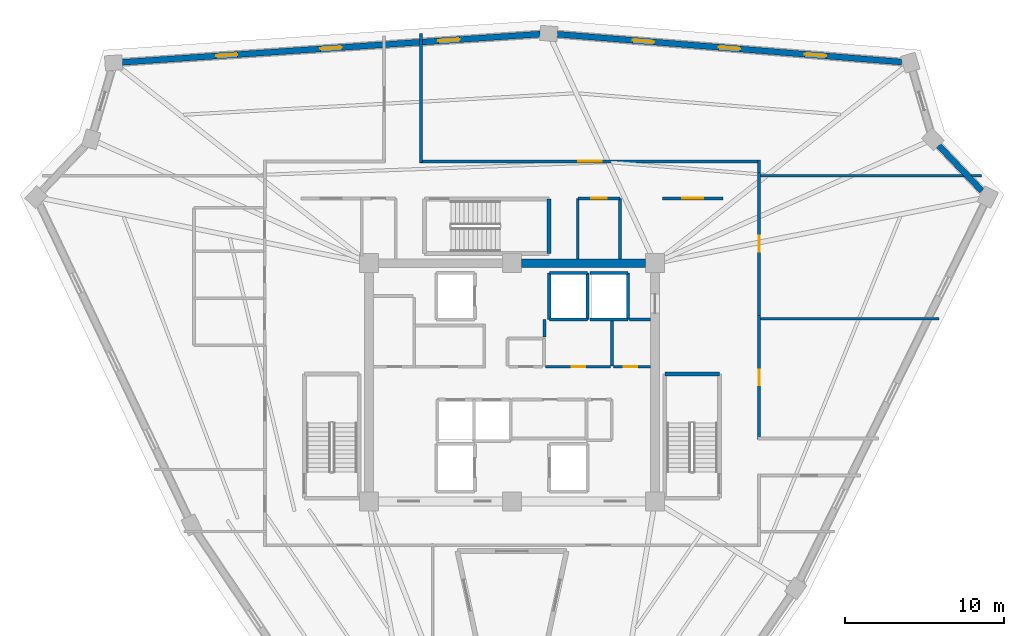
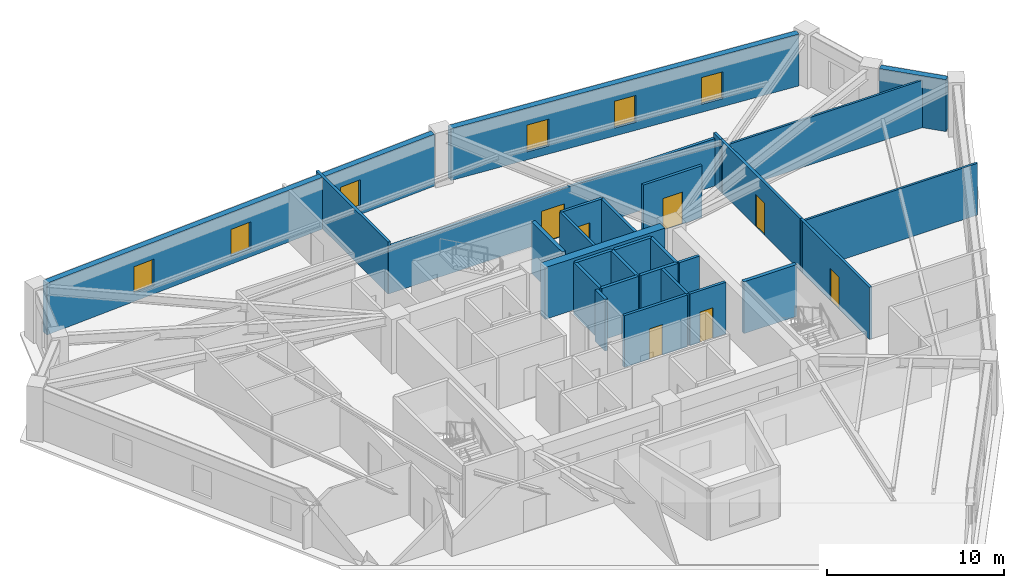
# One storey, part 6 of 10: 29 walls, 7 doors, 6 windows, 13 openings.
"""IFC4 building model written with IfcOpenShell, lengths in metres."""

from ifc_helpers import new_model, si_unit, direction, frame, frame_2d, origin, place, context, subcontext, project, spatial, rectangle, extrude, source, transform, mapped, material, layer, layer_set, type_object, element, fill, save


model = new_model("IFC4")

# Units and contexts
model_context = context("Model", 3, precision=1e-05, world=origin(), true_north=direction((0.0, 1.0)))
body_context = subcontext(model_context, "Body", "Model", "MODEL_VIEW")
ifc_project = project(units=[si_unit("LENGTHUNIT", "METRE"), si_unit("AREAUNIT", "SQUARE_METRE"), si_unit("VOLUMEUNIT", "CUBIC_METRE"), si_unit("PLANEANGLEUNIT", "RADIAN"), si_unit("MASSUNIT", "GRAM", prefix="KILO")], contexts=[model_context])

# Site, building, storey
site_placement = place(None, origin())
site = spatial("IfcSite", under=ifc_project, at=site_placement, CompositionType="ELEMENT")
building_placement = place(site_placement, origin())
building = spatial("IfcBuilding", under=site, at=building_placement, Name="Liaohun Quay Tower", CompositionType="ELEMENT")
storey_placement = place(building_placement, frame((0.0, 0.0, 309.0)))
storey = spatial("IfcBuildingStorey", under=building, at=storey_placement, Name="L80", CompositionType="ELEMENT", Elevation=309.0)

# Walls
ifc_material_1 = material(Name="Concrete C50", Category="concrete")
ifc_layer_1 = layer(ifc_material_1, 0.550048828125, Name="Concrete C50", Category="concrete")
ifc_layer_set_1 = layer_set([ifc_layer_1], Name="Concrete C50")
wall_type_1 = type_object("IfcWallType", Name="WAL-COR-Z4", PredefinedType="SHEAR", material=ifc_layer_set_1)
wall_1_placement = place(storey_placement, frame((60.60009765625, 61.5, 0.0), z_axis=(0.0, 0.0, 1.0), x_axis=(1.0, 0.0, 0.0)))
element("IfcWall", 1, at=wall_1_placement, inside=storey, type_object=wall_type_1, Name="L80 Central Core Shear Wall N-E", PredefinedType="SHEAR", context=body_context, shape_type="SweptSolid", body=[
    extrude(rectangle(XDim=7.7998046875, YDim=0.550048828125, at=frame_2d((3.89990234375, 0.0))), origin(), (0.0, 0.0, 1.0), 3.570068359375),
])
ifc_material_2 = material(Name="Precast concrete C50 insulated sandwich", Category="concrete")
ifc_layer_2 = layer(ifc_material_2, 0.3798828125, Name="Precast concrete C50 insulated sandwich", Category="concrete")
ifc_layer_set_2 = layer_set([ifc_layer_2], Name="Precast concrete C50 insulated sandwich")
wall_type_2 = type_object("IfcWallType", Name="WAL-EXT-Z34", PredefinedType="SOLIDWALL", material=ifc_layer_set_2)
wall_2_placement = place(storey_placement, frame((89.580078125, 66.052001953125, 0.0), z_axis=(0.0, 0.0, 1.0), x_axis=(-0.689378051653, 0.724401754484, 0.0)))
element("IfcWall", 2, at=wall_2_placement, inside=storey, type_object=wall_type_2, Name="L80 Brutalist Precast Pier Wall 04", PredefinedType="SOLIDWALL", context=body_context, shape_type="SweptSolid", body=[
    extrude(rectangle(XDim=3.9384765625, YDim=0.3798828125, at=frame_2d((1.96923828125, 0.0))), origin(), (0.0, 0.0, 1.0), 3.570068359375),
])

# Wall, openings, windows
wall_3_placement = place(storey_placement, frame((84.534912109375, 74.159912109375, 0.0), z_axis=(0.0, 0.0, 1.0), x_axis=(-0.996748682723, 0.080573342308, 0.0)))
wall_3 = element("IfcWall", 3, at=wall_3_placement, inside=storey, type_object=wall_type_2, Name="L80 Brutalist Precast Pier Wall 06", PredefinedType="SOLIDWALL", context=body_context, shape_type="SweptSolid", body=[
    extrude(rectangle(XDim=21.7587890625, YDim=0.3798828125, at=frame_2d((10.87939453125, 0.0))), origin(), (0.0, 0.0, 1.0), 3.570068359375),
])
shared_shape_1 = source(origin(), body_context, "Body", "SweptSolid", [
    extrude(rectangle(XDim=1.35009765625, YDim=1.85009765625, at=frame_2d((0.675048828125, 0.925048828125))), frame((0.0, 0.199951171875, 0.0), z_axis=(0.0, -1.0, 0.0), x_axis=(1.0, 0.0, 0.0)), (0.0, 0.0, 1.0), 0.39990234375),
])
opening_1_placement = place(wall_3_placement, frame((4.764892578125, 0.0, 0.550048828125)))
opening_1 = element("IfcOpeningElement", 4, at=opening_1_placement, cuts=wall_3, Name="Opening W04", PredefinedType="OPENING", context=body_context, shape_type="MappedRepresentation", body=[
    mapped(shared_shape_1, transform((0.0, 0.0, 0.0), x_axis=(1.0, 0.0, 0.0), y_axis=(0.0, 1.0, 0.0), z_axis=(0.0, 0.0, 1.0), scale=1.0)),
])
opening_2_placement = place(wall_3_placement, frame((10.2041015625, 0.0, 0.550048828125)))
opening_2 = element("IfcOpeningElement", 5, at=opening_2_placement, cuts=wall_3, Name="Opening W04", PredefinedType="OPENING", context=body_context, shape_type="MappedRepresentation", body=[
    mapped(shared_shape_1, transform((0.0, 0.0, 0.0), x_axis=(1.0, 0.0, 0.0), y_axis=(0.0, 1.0, 0.0), z_axis=(0.0, 0.0, 1.0), scale=1.0)),
])
opening_3_placement = place(wall_3_placement, frame((15.64404296875, 0.0, 0.550048828125)))
opening_3 = element("IfcOpeningElement", 6, at=opening_3_placement, cuts=wall_3, Name="Opening W04", PredefinedType="OPENING", context=body_context, shape_type="MappedRepresentation", body=[
    mapped(shared_shape_1, transform((0.0, 0.0, 0.0), x_axis=(1.0, 0.0, 0.0), y_axis=(0.0, 1.0, 0.0), z_axis=(0.0, 0.0, 1.0), scale=1.0)),
])
ifc_material_3 = material(Name="Triple Low-E argon glazing in thermally broken aluminium", Category="aluminium")
window_type = type_object("IfcWindowType", Name="WIN-PUN-Z4", PartitioningType="SINGLE_PANEL", PredefinedType="WINDOW", material=ifc_material_3)
shared_shape_2 = source(origin(), body_context, "Body", "SweptSolid", [
    extrude(rectangle(XDim=1.35009765625, YDim=1.85009765625, at=frame_2d((0.675048828125, 0.925048828125))), frame((0.0, 0.030029296875, 0.0), z_axis=(0.0, -1.0, 0.0), x_axis=(1.0, 0.0, 0.0)), (0.0, 0.0, 1.0), 0.06005859375),
])
window_1_placement = place(opening_1_placement, origin())
window_1 = element("IfcWindow", 7, at=window_1_placement, inside=storey, type_object=window_type, Name="L80 Recessed Cold-Climate Punched Window 06-1", OverallHeight=1.85009765625, OverallWidth=1.35009765625, PartitioningType="SINGLE_PANEL", PredefinedType="WINDOW", context=body_context, shape_type="MappedRepresentation", body=[
    mapped(shared_shape_2, transform((0.0, 0.0, 0.0), x_axis=(1.0, 0.0, 0.0), y_axis=(0.0, 1.0, 0.0), z_axis=(0.0, 0.0, 1.0), scale=1.0)),
])
fill(opening_1, window_1)
window_2_placement = place(opening_2_placement, origin())
window_2 = element("IfcWindow", 8, at=window_2_placement, inside=storey, type_object=window_type, Name="L80 Recessed Cold-Climate Punched Window 06-2", OverallHeight=1.85009765625, OverallWidth=1.35009765625, PartitioningType="SINGLE_PANEL", PredefinedType="WINDOW", context=body_context, shape_type="MappedRepresentation", body=[
    mapped(shared_shape_2, transform((0.0, 0.0, 0.0), x_axis=(1.0, 0.0, 0.0), y_axis=(0.0, 1.0, 0.0), z_axis=(0.0, 0.0, 1.0), scale=1.0)),
])
fill(opening_2, window_2)
window_3_placement = place(opening_3_placement, origin())
window_3 = element("IfcWindow", 9, at=window_3_placement, inside=storey, type_object=window_type, Name="L80 Recessed Cold-Climate Punched Window 06-3", OverallHeight=1.85009765625, OverallWidth=1.35009765625, PartitioningType="SINGLE_PANEL", PredefinedType="WINDOW", context=body_context, shape_type="MappedRepresentation", body=[
    mapped(shared_shape_2, transform((0.0, 0.0, 0.0), x_axis=(1.0, 0.0, 0.0), y_axis=(0.0, 1.0, 0.0), z_axis=(0.0, 0.0, 1.0), scale=1.0)),
])
fill(opening_3, window_3)

wall_4_placement = place(storey_placement, frame((61.77001953125, 75.919921875, 0.0), z_axis=(0.0, 0.0, 1.0), x_axis=(-0.997731532318, -0.067318566668, 0.0)))
wall_4 = element("IfcWall", 10, at=wall_4_placement, inside=storey, type_object=wall_type_2, Name="L80 Brutalist Precast Pier Wall 07", PredefinedType="SOLIDWALL", context=body_context, shape_type="SweptSolid", body=[
    extrude(rectangle(XDim=26.36572265625, YDim=0.3798828125, at=frame_2d((13.182861328125, 0.0))), origin(), (0.0, 0.0, 1.0), 3.570068359375),
])
opening_4_placement = place(wall_4_placement, frame((5.06591796875, 0.0, 0.550048828125)))
opening_4 = element("IfcOpeningElement", 11, at=opening_4_placement, cuts=wall_4, Name="Opening W04", PredefinedType="OPENING", context=body_context, shape_type="MappedRepresentation", body=[
    mapped(shared_shape_1, transform((0.0, 0.0, 0.0), x_axis=(1.0, 0.0, 0.0), y_axis=(0.0, 1.0, 0.0), z_axis=(0.0, 0.0, 1.0), scale=1.0)),
])
opening_5_placement = place(wall_4_placement, frame((12.508056640625, 0.0, 0.550048828125)))
opening_5 = element("IfcOpeningElement", 12, at=opening_5_placement, cuts=wall_4, Name="Opening W04", PredefinedType="OPENING", context=body_context, shape_type="MappedRepresentation", body=[
    mapped(shared_shape_1, transform((0.0, 0.0, 0.0), x_axis=(1.0, 0.0, 0.0), y_axis=(0.0, 1.0, 0.0), z_axis=(0.0, 0.0, 1.0), scale=1.0)),
])
opening_6_placement = place(wall_4_placement, frame((19.09912109375, 0.0, 0.550048828125)))
opening_6 = element("IfcOpeningElement", 13, at=opening_6_placement, cuts=wall_4, Name="Opening W04", PredefinedType="OPENING", context=body_context, shape_type="MappedRepresentation", body=[
    mapped(shared_shape_1, transform((0.0, 0.0, 0.0), x_axis=(1.0, 0.0, 0.0), y_axis=(0.0, 1.0, 0.0), z_axis=(0.0, 0.0, 1.0), scale=1.0)),
])
window_4_placement = place(opening_4_placement, origin())
window_4 = element("IfcWindow", 14, at=window_4_placement, inside=storey, type_object=window_type, Name="L80 Recessed Cold-Climate Punched Window 07-1", OverallHeight=1.85009765625, OverallWidth=1.35009765625, PartitioningType="SINGLE_PANEL", PredefinedType="WINDOW", context=body_context, shape_type="MappedRepresentation", body=[
    mapped(shared_shape_2, transform((0.0, 0.0, 0.0), x_axis=(1.0, 0.0, 0.0), y_axis=(0.0, 1.0, 0.0), z_axis=(0.0, 0.0, 1.0), scale=1.0)),
])
fill(opening_4, window_4)
window_5_placement = place(opening_5_placement, origin())
window_5 = element("IfcWindow", 15, at=window_5_placement, inside=storey, type_object=window_type, Name="L80 Recessed Cold-Climate Punched Window 07-2", OverallHeight=1.85009765625, OverallWidth=1.35009765625, PartitioningType="SINGLE_PANEL", PredefinedType="WINDOW", context=body_context, shape_type="MappedRepresentation", body=[
    mapped(shared_shape_2, transform((0.0, 0.0, 0.0), x_axis=(1.0, 0.0, 0.0), y_axis=(0.0, 1.0, 0.0), z_axis=(0.0, 0.0, 1.0), scale=1.0)),
])
fill(opening_5, window_5)
window_6_placement = place(opening_6_placement, origin())
window_6 = element("IfcWindow", 16, at=window_6_placement, inside=storey, type_object=window_type, Name="L80 Recessed Cold-Climate Punched Window 07-3", OverallHeight=1.85009765625, OverallWidth=1.35009765625, PartitioningType="SINGLE_PANEL", PredefinedType="WINDOW", context=body_context, shape_type="MappedRepresentation", body=[
    mapped(shared_shape_2, transform((0.0, 0.0, 0.0), x_axis=(1.0, 0.0, 0.0), y_axis=(0.0, 1.0, 0.0), z_axis=(0.0, 0.0, 1.0), scale=1.0)),
])
fill(opening_6, window_6)

# Wall, opening, door
ifc_material_4 = material(Name="Autoclaved aerated concrete blockwork", Category="masonry")
ifc_layer_3 = layer(ifc_material_4, 0.179931640625, Name="Autoclaved aerated concrete blockwork", Category="masonry")
ifc_layer_set_3 = layer_set([ifc_layer_3], Name="Autoclaved aerated concrete blockwork")
wall_type_3 = type_object("IfcWallType", Name="WAL-PRT-COR", PredefinedType="PARTITIONING", material=ifc_layer_set_3)
wall_5_placement = place(storey_placement, frame((62.10009765625, 54.97998046875, 0.0), z_axis=(0.0, 0.0, 1.0), x_axis=(1.0, 0.0, 0.0)))
wall_5 = element("IfcWall", 17, at=wall_5_placement, inside=storey, type_object=wall_type_3, Name="L80 Interior Partition Wall 004", PredefinedType="PARTITIONING", context=body_context, shape_type="SweptSolid", body=[
    extrude(rectangle(XDim=4.10986328125, YDim=0.179931640625, at=frame_2d((2.054931640625, 0.0))), origin(), (0.0, 0.0, 1.0), 3.570068359375),
])
shared_shape_3 = source(origin(), body_context, "Body", "SweptSolid", [
    extrude(rectangle(XDim=0.85009765625, YDim=2.10009765625, at=frame_2d((0.425048828125, 1.050048828125))), frame((0.0, 0.099853515625, 0.0), z_axis=(0.0, -1.0, 0.0), x_axis=(1.0, 0.0, 0.0)), (0.0, 0.0, 1.0), 0.199951171875),
])
opening_7_placement = place(wall_5_placement, frame((1.64990234375, 0.0, 0.0)))
opening_7 = element("IfcOpeningElement", 18, at=opening_7_placement, cuts=wall_5, Name="Opening AD1", PredefinedType="OPENING", context=body_context, shape_type="MappedRepresentation", body=[
    mapped(shared_shape_3, transform((0.0, 0.0, 0.0), x_axis=(1.0, 0.0, 0.0), y_axis=(0.0, 1.0, 0.0), z_axis=(0.0, 0.0, 1.0), scale=1.0)),
])
ifc_material_5 = material(Name="Steel riser inspection fire door", Category="steel")
door_type_1 = type_object("IfcDoorType", Name="DOR-SHF-850", OperationType="NOTDEFINED", PredefinedType="DOOR", material=ifc_material_5)
shared_shape_4 = source(origin(), body_context, "Body", "SweptSolid", [
    extrude(rectangle(XDim=0.85009765625, YDim=2.10009765625, at=frame_2d((0.425048828125, 1.050048828125))), frame((0.0, 0.02490234375, 0.0), z_axis=(0.0, -1.0, 0.0), x_axis=(1.0, 0.0, 0.0)), (0.0, 0.0, 1.0), 0.050048828125),
])
door_1_placement = place(opening_7_placement, origin())
door_1 = element("IfcDoor", 19, at=door_1_placement, inside=storey, type_object=door_type_1, Name="L80 Core Metering Closet Door", OperationType="SINGLE_SWING_RIGHT", OverallHeight=2.10009765625, OverallWidth=0.85009765625, PredefinedType="DOOR", context=body_context, shape_type="MappedRepresentation", body=[
    mapped(shared_shape_4, transform((0.0, 0.0, 0.0), x_axis=(1.0, 0.0, 0.0), y_axis=(0.0, 1.0, 0.0), z_axis=(0.0, 0.0, 1.0), scale=1.0)),
])
fill(opening_7, door_1)

wall_6_placement = place(storey_placement, frame((66.389892578125, 54.97998046875, 0.0), z_axis=(0.0, 0.0, 1.0), x_axis=(1.0, 0.0, 0.0)))
wall_6 = element("IfcWall", 20, at=wall_6_placement, inside=storey, type_object=wall_type_3, Name="L80 Interior Partition Wall 005", PredefinedType="PARTITIONING", context=body_context, shape_type="SweptSolid", body=[
    extrude(rectangle(XDim=2.335205078125, YDim=0.179931640625, at=frame_2d((1.16748046875, 0.0))), origin(), (0.0, 0.0, 1.0), 3.570068359375),
])
opening_8_placement = place(wall_6_placement, frame((0.64990234375, 0.0, 0.0)))
opening_8 = element("IfcOpeningElement", 21, at=opening_8_placement, cuts=wall_6, Name="Opening AD1", PredefinedType="OPENING", context=body_context, shape_type="MappedRepresentation", body=[
    mapped(shared_shape_3, transform((0.0, 0.0, 0.0), x_axis=(1.0, 0.0, 0.0), y_axis=(0.0, 1.0, 0.0), z_axis=(0.0, 0.0, 1.0), scale=1.0)),
])
door_2_placement = place(opening_8_placement, origin())
door_2 = element("IfcDoor", 22, at=door_2_placement, inside=storey, type_object=door_type_1, Name="L80 Core Janitor Store Door", OperationType="SINGLE_SWING_LEFT", OverallHeight=2.10009765625, OverallWidth=0.85009765625, PredefinedType="DOOR", context=body_context, shape_type="MappedRepresentation", body=[
    mapped(shared_shape_4, transform((0.0, 0.0, 0.0), x_axis=(1.0, 0.0, 0.0), y_axis=(0.0, 1.0, 0.0), z_axis=(0.0, 0.0, 1.0), scale=1.0)),
])
fill(opening_8, door_2)

wall_7_placement = place(storey_placement, frame((64.139892578125, 65.580078125, 0.0), z_axis=(0.0, 0.0, 1.0), x_axis=(1.0, 0.0, 0.0)))
wall_7 = element("IfcWall", 23, at=wall_7_placement, inside=storey, type_object=wall_type_3, Name="L80 Interior Partition Wall 012", PredefinedType="PARTITIONING", context=body_context, shape_type="SweptSolid", body=[
    extrude(rectangle(XDim=2.670166015625, YDim=0.179931640625, at=frame_2d((1.3349609375, 0.0))), origin(), (0.0, 0.0, 1.0), 3.570068359375),
])
shared_shape_5 = source(origin(), body_context, "Body", "SweptSolid", [
    extrude(rectangle(XDim=1.0, YDim=2.199951171875, at=frame_2d((0.5, 1.10009765625))), frame((0.0, 0.099853515625, 0.0), z_axis=(0.0, -1.0, 0.0), x_axis=(1.0, 0.0, 0.0)), (0.0, 0.0, 1.0), 0.199951171875),
])
opening_9_placement = place(wall_7_placement, frame((0.8349609375, 0.0, 0.0)))
opening_9 = element("IfcOpeningElement", 24, at=opening_9_placement, cuts=wall_7, Name="Opening OD1", PredefinedType="OPENING", context=body_context, shape_type="MappedRepresentation", body=[
    mapped(shared_shape_5, transform((0.0, 0.0, 0.0), x_axis=(1.0, 0.0, 0.0), y_axis=(0.0, 1.0, 0.0), z_axis=(0.0, 0.0, 1.0), scale=1.0)),
])
ifc_material_6 = material(Name="Solid-core oak veneer timber leaf in steel frame", Category="steel")
door_type_2 = type_object("IfcDoorType", Name="DOR-OFF-1000", OperationType="NOTDEFINED", PredefinedType="DOOR", material=ifc_material_6)
shared_shape_6 = source(origin(), body_context, "Body", "SweptSolid", [
    extrude(rectangle(XDim=1.0, YDim=2.199951171875, at=frame_2d((0.5, 1.10009765625))), frame((0.0, 0.02490234375, 0.0), z_axis=(0.0, -1.0, 0.0), x_axis=(1.0, 0.0, 0.0)), (0.0, 0.0, 1.0), 0.050048828125),
])
door_3_placement = place(opening_9_placement, origin())
door_3 = element("IfcDoor", 25, at=door_3_placement, inside=storey, type_object=door_type_2, Name="L80 North-East Server Closet Door", OperationType="SINGLE_SWING_RIGHT", OverallHeight=2.199951171875, OverallWidth=1.0, PredefinedType="DOOR", context=body_context, shape_type="MappedRepresentation", body=[
    mapped(shared_shape_6, transform((0.0, 0.0, 0.0), x_axis=(1.0, 0.0, 0.0), y_axis=(0.0, 1.0, 0.0), z_axis=(0.0, 0.0, 1.0), scale=1.0)),
])
fill(opening_9, door_3)

wall_8_placement = place(storey_placement, frame((69.4599609375, 65.580078125, 0.0), z_axis=(0.0, 0.0, 1.0), x_axis=(1.0, 0.0, 0.0)))
wall_8 = element("IfcWall", 26, at=wall_8_placement, inside=storey, type_object=wall_type_3, Name="L80 Interior Partition Wall 014", PredefinedType="PARTITIONING", context=body_context, shape_type="SweptSolid", body=[
    extrude(rectangle(XDim=3.840087890625, YDim=0.179931640625, at=frame_2d((1.919921875, 0.0))), origin(), (0.0, 0.0, 1.0), 3.570068359375),
])
shared_shape_7 = source(origin(), body_context, "Body", "SweptSolid", [
    extrude(rectangle(XDim=1.300048828125, YDim=2.199951171875, at=frame_2d((0.64990234375, 1.10009765625))), frame((0.0, 0.099853515625, 0.0), z_axis=(0.0, -1.0, 0.0), x_axis=(1.0, 0.0, 0.0)), (0.0, 0.0, 1.0), 0.199951171875),
])
opening_10_placement = place(wall_8_placement, frame((1.27001953125, 0.0, 0.0)))
opening_10 = element("IfcOpeningElement", 27, at=opening_10_placement, cuts=wall_8, Name="Opening FD1", PredefinedType="OPENING", context=body_context, shape_type="MappedRepresentation", body=[
    mapped(shared_shape_7, transform((0.0, 0.0, 0.0), x_axis=(1.0, 0.0, 0.0), y_axis=(0.0, 1.0, 0.0), z_axis=(0.0, 0.0, 1.0), scale=1.0)),
])
ifc_material_7 = material(Name="Galvanised steel smokeproof fire door", Category="steel")
door_type_3 = type_object("IfcDoorType", Name="DOR-FFL-1300", OperationType="NOTDEFINED", PredefinedType="DOOR", material=ifc_material_7)
shared_shape_8 = source(origin(), body_context, "Body", "SweptSolid", [
    extrude(rectangle(XDim=1.300048828125, YDim=2.199951171875, at=frame_2d((0.64990234375, 1.10009765625))), frame((0.0, 0.02490234375, 0.0), z_axis=(0.0, -1.0, 0.0), x_axis=(1.0, 0.0, 0.0)), (0.0, 0.0, 1.0), 0.050048828125),
])
door_4_placement = place(opening_10_placement, origin())
door_4 = element("IfcDoor", 28, at=door_4_placement, inside=storey, type_object=door_type_3, Name="L80 East Core Vestibule Door", OperationType="SINGLE_SWING_RIGHT", OverallHeight=2.199951171875, OverallWidth=1.300048828125, PredefinedType="DOOR", context=body_context, shape_type="MappedRepresentation", body=[
    mapped(shared_shape_8, transform((0.0, 0.0, 0.0), x_axis=(1.0, 0.0, 0.0), y_axis=(0.0, 1.0, 0.0), z_axis=(0.0, 0.0, 1.0), scale=1.0)),
])
fill(opening_10, door_4)

wall_9_placement = place(storey_placement, frame((75.56005859375, 58.215087890625, 0.0), z_axis=(0.0, 0.0, 1.0), x_axis=(0.0, -1.0, 0.0)))
wall_9 = element("IfcWall", 29, at=wall_9_placement, inside=storey, type_object=wall_type_3, Name="L80 Interior Partition Wall 015", PredefinedType="PARTITIONING", context=body_context, shape_type="SweptSolid", body=[
    extrude(rectangle(XDim=7.8251953125, YDim=0.179931640625, at=frame_2d((3.91259765625, 0.0))), origin(), (0.0, 0.0, 1.0), 3.570068359375),
])
opening_11_placement = place(wall_9_placement, frame((3.4130859375, 0.0, 0.0)))
opening_11 = element("IfcOpeningElement", 30, at=opening_11_placement, cuts=wall_9, Name="Opening OD1", PredefinedType="OPENING", context=body_context, shape_type="MappedRepresentation", body=[
    mapped(shared_shape_5, transform((0.0, 0.0, 0.0), x_axis=(1.0, 0.0, 0.0), y_axis=(0.0, 1.0, 0.0), z_axis=(0.0, 0.0, 1.0), scale=1.0)),
])
door_5_placement = place(opening_11_placement, origin())
door_5 = element("IfcDoor", 31, at=door_5_placement, inside=storey, type_object=door_type_2, Name="L80 Engineering Model Workshop 01 Door", OperationType="SINGLE_SWING_LEFT", OverallHeight=2.199951171875, OverallWidth=1.0, PredefinedType="DOOR", context=body_context, shape_type="MappedRepresentation", body=[
    mapped(shared_shape_6, transform((0.0, 0.0, 0.0), x_axis=(1.0, 0.0, 0.0), y_axis=(0.0, 1.0, 0.0), z_axis=(0.0, 0.0, 1.0), scale=1.0)),
])
fill(opening_11, door_5)

wall_10_placement = place(storey_placement, frame((75.56005859375, 67.215087890625, 0.0), z_axis=(0.0, 0.0, 1.0), x_axis=(0.0, -1.0, 0.0)))
wall_10 = element("IfcWall", 32, at=wall_10_placement, inside=storey, type_object=wall_type_3, Name="L80 Interior Partition Wall 016", PredefinedType="PARTITIONING", context=body_context, shape_type="SweptSolid", body=[
    extrude(rectangle(XDim=9.0, YDim=0.179931640625, at=frame_2d((4.5, 0.0))), origin(), (0.0, 0.0, 1.0), 3.570068359375),
])
opening_12_placement = place(wall_10_placement, frame((4.0, 0.0, 0.0)))
opening_12 = element("IfcOpeningElement", 33, at=opening_12_placement, cuts=wall_10, Name="Opening OD1", PredefinedType="OPENING", context=body_context, shape_type="MappedRepresentation", body=[
    mapped(shared_shape_5, transform((0.0, 0.0, 0.0), x_axis=(1.0, 0.0, 0.0), y_axis=(0.0, 1.0, 0.0), z_axis=(0.0, 0.0, 1.0), scale=1.0)),
])
door_6_placement = place(opening_12_placement, origin())
door_6 = element("IfcDoor", 34, at=door_6_placement, inside=storey, type_object=door_type_2, Name="L80 Corporate Exhibition Gallery 02 Door", OperationType="SINGLE_SWING_RIGHT", OverallHeight=2.199951171875, OverallWidth=1.0, PredefinedType="DOOR", context=body_context, shape_type="MappedRepresentation", body=[
    mapped(shared_shape_6, transform((0.0, 0.0, 0.0), x_axis=(1.0, 0.0, 0.0), y_axis=(0.0, 1.0, 0.0), z_axis=(0.0, 0.0, 1.0), scale=1.0)),
])
fill(opening_12, door_6)

wall_11_placement = place(storey_placement, frame((54.18994140625, 67.909912109375, 0.0), z_axis=(0.0, 0.0, 1.0), x_axis=(1.0, 0.0, 0.0)))
wall_11 = element("IfcWall", 35, at=wall_11_placement, inside=storey, type_object=wall_type_3, Name="L80 Interior Partition Wall 017", PredefinedType="PARTITIONING", context=body_context, shape_type="SweptSolid", body=[
    extrude(rectangle(XDim=21.43994140625, YDim=0.179931640625, at=frame_2d((10.719970703125, 0.0))), origin(), (0.0, 0.0, 1.0), 3.260986328125),
])
shared_shape_9 = source(origin(), body_context, "Body", "SweptSolid", [
    extrude(rectangle(XDim=1.5, YDim=2.199951171875, at=frame_2d((0.75, 1.10009765625))), frame((0.0, 0.099853515625, 0.0), z_axis=(0.0, -1.0, 0.0), x_axis=(1.0, 0.0, 0.0)), (0.0, 0.0, 1.0), 0.199951171875),
])
opening_13_placement = place(wall_11_placement, frame((9.969970703125, 0.0, 0.0)))
opening_13 = element("IfcOpeningElement", 36, at=opening_13_placement, cuts=wall_11, Name="Opening OD2", PredefinedType="OPENING", context=body_context, shape_type="MappedRepresentation", body=[
    mapped(shared_shape_9, transform((0.0, 0.0, 0.0), x_axis=(1.0, 0.0, 0.0), y_axis=(0.0, 1.0, 0.0), z_axis=(0.0, 0.0, 1.0), scale=1.0)),
])
ifc_material_8 = material(Name="Acoustic oak veneer double door")
door_type_4 = type_object("IfcDoorType", Name="DOR-OFF-1500", OperationType="DOUBLE_DOOR_SINGLE_SWING", PredefinedType="DOOR", material=ifc_material_8)
shared_shape_10 = source(origin(), body_context, "Body", "SweptSolid", [
    extrude(rectangle(XDim=1.5, YDim=2.199951171875, at=frame_2d((0.75, 1.10009765625))), frame((0.0, 0.02490234375, 0.0), z_axis=(0.0, -1.0, 0.0), x_axis=(1.0, 0.0, 0.0)), (0.0, 0.0, 1.0), 0.050048828125),
])
door_7_placement = place(opening_13_placement, origin())
door_7 = element("IfcDoor", 37, at=door_7_placement, inside=storey, type_object=door_type_4, Name="L80 Engineering Model Workshop 03 Door", OperationType="DOUBLE_DOOR_SINGLE_SWING", OverallHeight=2.199951171875, OverallWidth=1.5, PredefinedType="DOOR", context=body_context, shape_type="MappedRepresentation", body=[
    mapped(shared_shape_10, transform((0.0, 0.0, 0.0), x_axis=(1.0, 0.0, 0.0), y_axis=(0.0, 1.0, 0.0), z_axis=(0.0, 0.0, 1.0), scale=1.0)),
])
fill(opening_13, door_7)

# Walls
wall_12_placement = place(storey_placement, frame((66.300048828125, 55.02001953125, 0.0), z_axis=(0.0, 0.0, 1.0), x_axis=(0.0, 1.0, 0.0)))
element("IfcWall", 38, at=wall_12_placement, inside=storey, type_object=wall_type_3, Name="L80 Interior Partition Wall 025", PredefinedType="PARTITIONING", context=body_context, shape_type="SweptSolid", body=[
    extrude(rectangle(XDim=2.85986328125, YDim=0.179931640625, at=frame_2d((1.429931640625, 0.0))), origin(), (0.0, 0.0, 1.0), 3.570068359375),
])
for number, where, z_axis, x_axis, name in (
    (39, (64.139892578125, 61.77490234375, 0.0), (0.0, 0.0, 1.0), (0.0, 1.0, 0.0), "L80 Interior Partition Wall 039"),
    (40, (66.81005859375, 61.77490234375, 0.0), (0.0, 0.0, 1.0), (0.0, 1.0, 0.0), "L80 Interior Partition Wall 040"),
):
    element("IfcWall", number, at=place(storey_placement, frame(where, z_axis=z_axis, x_axis=x_axis)), inside=storey, type_object=wall_type_3, Name=name, PredefinedType="PARTITIONING", context=body_context, shape_type="SweptSolid", body=[
        extrude(rectangle(XDim=3.80517578125, YDim=0.179931640625, at=frame_2d((1.902587890625, 0.0))), origin(), (0.0, 0.0, 1.0), 3.570068359375),
    ])
wall_13_placement = place(storey_placement, frame((54.260009765625, 75.9541015625, 0.0), z_axis=(0.0, 0.0, 1.0), x_axis=(0.0, -1.0, 0.0)))
element("IfcWall", 41, at=wall_13_placement, inside=storey, type_object=wall_type_3, Name="L80 Interior Partition Wall 042", PredefinedType="PARTITIONING", context=body_context, shape_type="SweptSolid", body=[
    extrude(rectangle(XDim=8.114013671875, YDim=0.179931640625, at=frame_2d((4.05712890625, 0.0))), origin(), (0.0, 0.0, 1.0), 3.570068359375),
])
wall_14_placement = place(storey_placement, frame((75.56005859375, 67.97998046875, 0.0), z_axis=(0.0, 0.0, 1.0), x_axis=(0.0, -1.0, 0.0)))
element("IfcWall", 42, at=wall_14_placement, inside=storey, type_object=wall_type_3, Name="L80 Interior Partition Wall 043", PredefinedType="PARTITIONING", context=body_context, shape_type="SweptSolid", body=[
    extrude(rectangle(XDim=0.764892578125, YDim=0.179931640625, at=frame_2d((0.38232421875, 0.0))), origin(), (0.0, 0.0, 1.0), 3.570068359375),
])
wall_15_placement = place(storey_placement, frame((62.050048828125, 56.840087890625, 0.0), z_axis=(0.0, 0.0, 1.0), x_axis=(0.0, 1.0, 0.0)))
element("IfcWall", 43, at=wall_15_placement, inside=storey, type_object=wall_type_3, Name="L80 Interior Partition Wall 062", PredefinedType="PARTITIONING", context=body_context, shape_type="SweptSolid", body=[
    extrude(rectangle(XDim=1.10986328125, YDim=0.179931640625, at=frame_2d((0.554931640625, 0.0))), origin(), (0.0, 0.0, 1.0), 3.570068359375),
])
wall_16_placement = place(storey_placement, frame((67.39990234375, 57.949951171875, 0.0), z_axis=(0.0, 0.0, 1.0), x_axis=(1.0, 0.0, 0.0)))
element("IfcWall", 44, at=wall_16_placement, inside=storey, type_object=wall_type_3, Name="L80 Interior Partition Wall 063", PredefinedType="PARTITIONING", context=body_context, shape_type="SweptSolid", body=[
    extrude(rectangle(XDim=1.3251953125, YDim=0.179931640625, at=frame_2d((0.66259765625, 0.0))), origin(), (0.0, 0.0, 1.0), 3.570068359375),
])
ifc_material_9 = material(Name="Gypsum board on twin steel studs", Category="steel")
ifc_layer_4 = layer(ifc_material_9, 0.139892578125, Name="Gypsum board on twin steel studs", Category="steel")
ifc_layer_set_4 = layer_set([ifc_layer_4], Name="Gypsum board on twin steel studs")
wall_type_4 = type_object("IfcWallType", Name="WAL-PRT-OFF", PredefinedType="PARTITIONING", material=ifc_layer_set_4)
wall_17_placement = place(storey_placement, frame((75.4599609375, 58.0, 0.0), z_axis=(0.0, 0.0, 1.0), x_axis=(1.0, 0.0, 0.0)))
element("IfcWall", 45, at=wall_17_placement, inside=storey, type_object=wall_type_4, Name="L80 Interior Partition Wall 054", PredefinedType="PARTITIONING", context=body_context, shape_type="SweptSolid", body=[
    extrude(rectangle(XDim=11.43408203125, YDim=0.139892578125, at=frame_2d((5.717041015625, 0.0))), origin(), (0.0, 0.0, 1.0), 3.570068359375),
])
wall_18_placement = place(storey_placement, frame((75.4599609375, 67.0, 0.0), z_axis=(0.0, 0.0, 1.0), x_axis=(1.0, 0.0, 0.0)))
element("IfcWall", 46, at=wall_18_placement, inside=storey, type_object=wall_type_4, Name="L80 Interior Partition Wall 055", PredefinedType="PARTITIONING", context=body_context, shape_type="SweptSolid", body=[
    extrude(rectangle(XDim=14.087158203125, YDim=0.139892578125, at=frame_2d((7.04345703125, 0.0))), origin(), (0.0, 0.0, 1.0), 3.260986328125),
])
ifc_layer_5 = layer(ifc_material_1, 0.239990234375, Name="Concrete C50", Category="concrete")
ifc_layer_set_5 = layer_set([ifc_layer_5], Name="Concrete C50")
wall_type_5 = type_object("IfcWallType", Name="WAL-SHF-200", PredefinedType="SOLIDWALL", material=ifc_layer_set_5)
for number, where, z_axis, x_axis, name in (
    (47, (73.06005859375, 54.52001953125, 0.0), (0.0, 0.0, 1.0), (-1.0, 0.0, 0.0), "L80 Stairwell ST-2 Structural Core Wall N"),
    (48, (62.320068359375, 62.10009765625, 0.0), (0.0, 0.0, 1.0), (0.0, 1.0, 0.0), "L80 Stairwell ST-3 Structural Core Wall E"),
):
    element("IfcWall", number, at=place(storey_placement, frame(where, z_axis=z_axis, x_axis=x_axis)), inside=storey, type_object=wall_type_5, Name=name, PredefinedType="SOLIDWALL", context=body_context, shape_type="SweptSolid", body=[
        extrude(rectangle(XDim=3.43994140625, YDim=0.239990234375, at=frame_2d((1.719970703125, 0.0))), origin(), (0.0, 0.0, 1.0), 3.570068359375),
    ])
wall_19_placement = place(storey_placement, frame((62.35009765625, 57.949951171875, 0.0), z_axis=(0.0, 0.0, 1.0), x_axis=(1.0, 0.0, 0.0)))
element("IfcWall", 49, at=wall_19_placement, inside=storey, type_object=wall_type_5, Name="L80 Lift OB-01 Hoistway Wall S", PredefinedType="SOLIDWALL", context=body_context, shape_type="SweptSolid", body=[
    extrude(rectangle(XDim=2.39990234375, YDim=0.199951171875, at=frame_2d((1.199951171875, 0.0))), origin(), (0.0, 0.0, 1.0), 3.570068359375),
])
wall_20_placement = place(storey_placement, frame((64.75, 57.949951171875, 0.0), z_axis=(0.0, 0.0, 1.0), x_axis=(0.0, 1.0, 0.0)))
element("IfcWall", 50, at=wall_20_placement, inside=storey, type_object=wall_type_5, Name="L80 Lift OB-01 Hoistway Wall E", PredefinedType="SOLIDWALL", context=body_context, shape_type="SweptSolid", body=[
    extrude(rectangle(XDim=2.929931640625, YDim=0.199951171875, at=frame_2d((1.46484375, 0.0))), origin(), (0.0, 0.0, 1.0), 3.570068359375),
])
wall_21_placement = place(storey_placement, frame((64.75, 60.8798828125, 0.0), z_axis=(0.0, 0.0, 1.0), x_axis=(-1.0, 0.0, 0.0)))
element("IfcWall", 51, at=wall_21_placement, inside=storey, type_object=wall_type_5, Name="L80 Lift OB-01 Hoistway Wall N", PredefinedType="SOLIDWALL", context=body_context, shape_type="SweptSolid", body=[
    extrude(rectangle(XDim=2.39990234375, YDim=0.199951171875, at=frame_2d((1.199951171875, 0.0))), origin(), (0.0, 0.0, 1.0), 3.570068359375),
])
wall_22_placement = place(storey_placement, frame((62.35009765625, 60.8798828125, 0.0), z_axis=(0.0, 0.0, 1.0), x_axis=(0.0, -1.0, 0.0)))
element("IfcWall", 52, at=wall_22_placement, inside=storey, type_object=wall_type_5, Name="L80 Lift OB-01 Hoistway Wall W", PredefinedType="SOLIDWALL", context=body_context, shape_type="SweptSolid", body=[
    extrude(rectangle(XDim=2.929931640625, YDim=0.199951171875, at=frame_2d((1.46484375, 0.0))), origin(), (0.0, 0.0, 1.0), 3.570068359375),
])
wall_23_placement = place(storey_placement, frame((64.89990234375, 57.949951171875, 0.0), z_axis=(0.0, 0.0, 1.0), x_axis=(1.0, 0.0, 0.0)))
element("IfcWall", 53, at=wall_23_placement, inside=storey, type_object=wall_type_5, Name="L80 Lift OB-02 Hoistway Wall S", PredefinedType="SOLIDWALL", context=body_context, shape_type="SweptSolid", body=[
    extrude(rectangle(XDim=2.400146484375, YDim=0.199951171875, at=frame_2d((1.2001953125, 0.0))), origin(), (0.0, 0.0, 1.0), 3.570068359375),
])
wall_24_placement = place(storey_placement, frame((67.300048828125, 57.949951171875, 0.0), z_axis=(0.0, 0.0, 1.0), x_axis=(0.0, 1.0, 0.0)))
element("IfcWall", 54, at=wall_24_placement, inside=storey, type_object=wall_type_5, Name="L80 Lift OB-02 Hoistway Wall E", PredefinedType="SOLIDWALL", context=body_context, shape_type="SweptSolid", body=[
    extrude(rectangle(XDim=2.929931640625, YDim=0.199951171875, at=frame_2d((1.46484375, 0.0))), origin(), (0.0, 0.0, 1.0), 3.570068359375),
])
wall_25_placement = place(storey_placement, frame((67.300048828125, 60.8798828125, 0.0), z_axis=(0.0, 0.0, 1.0), x_axis=(-1.0, 0.0, 0.0)))
element("IfcWall", 55, at=wall_25_placement, inside=storey, type_object=wall_type_5, Name="L80 Lift OB-02 Hoistway Wall N", PredefinedType="SOLIDWALL", context=body_context, shape_type="SweptSolid", body=[
    extrude(rectangle(XDim=2.400146484375, YDim=0.199951171875, at=frame_2d((1.2001953125, 0.0))), origin(), (0.0, 0.0, 1.0), 3.570068359375),
])

save(model, "model.ifc")
